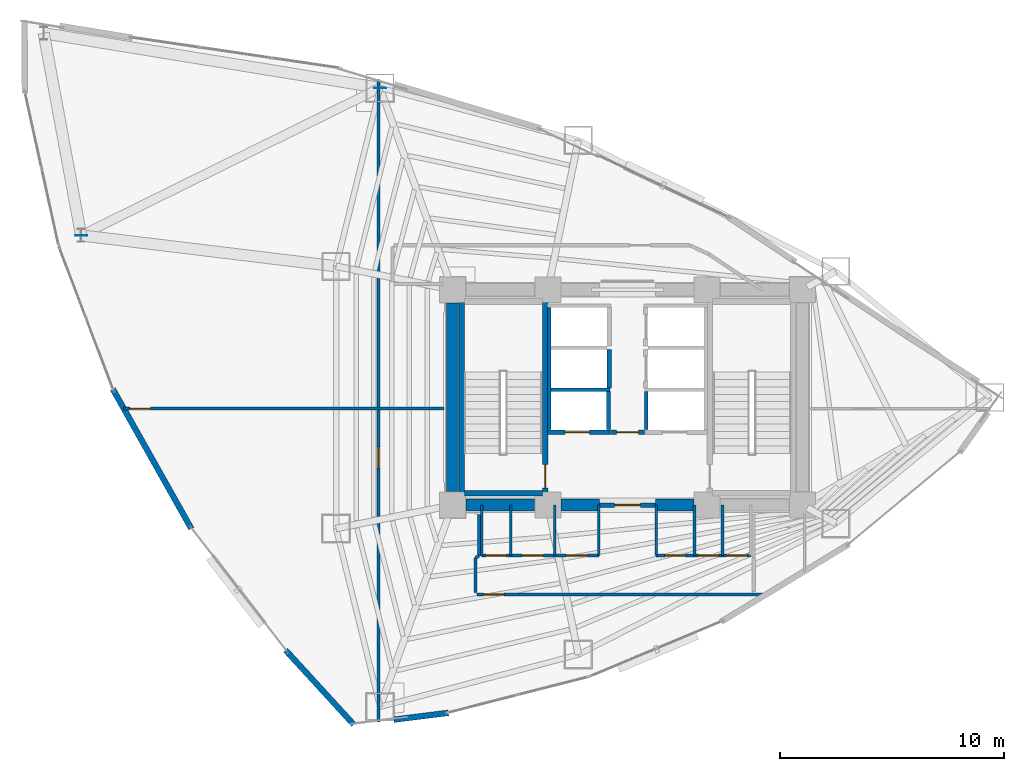
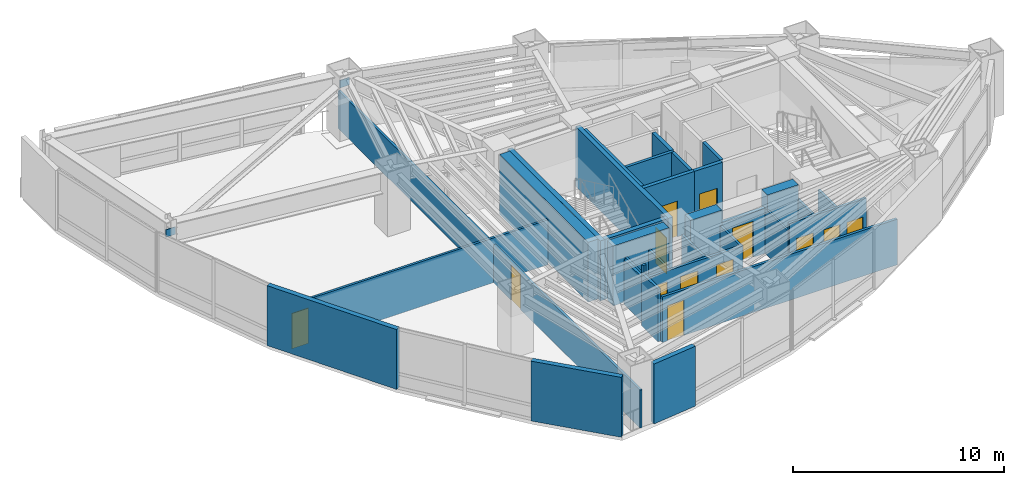
# One storey, part 19 of 23: 33 walls, 13 doors, 2 plates, 13 openings.
"""IFC4 building model written with IfcOpenShell, lengths in metres."""

import ifcopenshell
import ifcopenshell.guid

model = None  # the IFC model being written
_history = None  # IfcOwnerHistory: only IFC2X3 demands one
_inside = {}  # id of a spatial element -> (the spatial element, [elements in it])
_under = {}  # id of a project, library or spatial element -> (it, [spatial elements below it])
_declared = {}  # id of a project -> (the project, [libraries it declares])
_typed = {}  # id of a type object -> (the type object, [elements of that type])
_made_of = {}  # id of a material, layer set ... -> (it, [elements and type objects made of it])


def new_model(schema):
    """Start an empty IFC model of exactly this schema.

    Asked for "IFC4X3", IfcOpenShell would pick the latest addendum, in which some entities
    have other attributes; the version numbers below select the first issue.
    IFC2X3 requires an IfcOwnerHistory on every rooted entity: one is made here for all.
    """
    global model, _history
    if schema == "IFC4X3":
        model = ifcopenshell.file(schema_version=(4, 3, 0, 0))
    else:
        model = ifcopenshell.file(schema=schema)
    _inside.clear()
    _under.clear()
    _declared.clear()
    _typed.clear()
    _made_of.clear()
    _history = None
    if model.schema == "IFC2X3":
        org = make("IfcOrganization", Name="unknown")
        user = make(
            "IfcPersonAndOrganization",
            ThePerson=make("IfcPerson", FamilyName="unknown"),
            TheOrganization=org,
        )
        app = make(
            "IfcApplication",
            ApplicationDeveloper=org,
            Version="unknown",
            ApplicationFullName="unknown",
            ApplicationIdentifier="unknown",
        )
        _history = make(
            "IfcOwnerHistory",
            OwningUser=user,
            OwningApplication=app,
            ChangeAction="ADDED",
            CreationDate=0,
        )
    return model


def make(cls, **values):
    """One entity of the class cls with the attributes given. An attribute that is None is left unset."""
    return model.create_entity(
        cls, **{name: value for name, value in values.items() if value is not None}
    )


def rooted(cls, **values):
    """An entity with a GlobalId (a new one), such as an element, a storey or a relation."""
    return make(cls, GlobalId=ifcopenshell.guid.new(), OwnerHistory=_history, **values)


def si_unit(unit_type, name, prefix=None):
    """IfcSIUnit, for example si_unit("LENGTHUNIT", "METRE", prefix="MILLI")."""
    return make("IfcSIUnit", UnitType=unit_type, Prefix=prefix, Name=name)


def assignment(units):
    """IfcUnitAssignment: the units of a project."""
    return None if units is None else make("IfcUnitAssignment", Units=units)


def point(xyz):
    """IfcCartesianPoint."""
    return None if xyz is None else make("IfcCartesianPoint", Coordinates=xyz)


def direction(xyz):
    """IfcDirection."""
    return None if xyz is None else make("IfcDirection", DirectionRatios=xyz)


def frame(location, z_axis=None, x_axis=None):
    """IfcAxis2Placement3D, a coordinate frame: its origin and axes. An axis left out is left unset."""
    return make(
        "IfcAxis2Placement3D",
        Location=point(location),
        Axis=direction(z_axis),
        RefDirection=direction(x_axis),
    )


def frame_2d(location, x_axis=None):
    """IfcAxis2Placement2D, a coordinate frame in the plane: its origin and x axis."""
    return make(
        "IfcAxis2Placement2D", Location=point(location), RefDirection=direction(x_axis)
    )


def origin():
    """The frame at (0, 0, 0) with its axes left unset."""
    return frame((0.0, 0.0, 0.0))


def origin_2d():
    """The frame at (0, 0) in the plane with its x axis left unset."""
    return frame_2d((0.0, 0.0))


def place(relative_to, where):
    """IfcLocalPlacement: puts the frame where relative to a parent placement (None: the world)."""
    return make(
        "IfcLocalPlacement", PlacementRelTo=relative_to, RelativePlacement=where
    )


def context(
    kind, dimensions, precision=None, world=None, true_north=None, identifier=None
):
    """IfcGeometricRepresentationContext, for example the 3D "Model" context."""
    return make(
        "IfcGeometricRepresentationContext",
        ContextIdentifier=identifier,
        ContextType=kind,
        CoordinateSpaceDimension=dimensions,
        Precision=precision,
        WorldCoordinateSystem=world,
        TrueNorth=true_north,
    )


def subcontext(parent, identifier, kind, view, scale=None):
    """IfcGeometricRepresentationSubContext, for example "Body" below "Model"."""
    return make(
        "IfcGeometricRepresentationSubContext",
        ContextIdentifier=identifier,
        ContextType=kind,
        ParentContext=parent,
        TargetScale=scale,
        TargetView=view,
    )


def project(units=None, contexts=None):
    """IfcProject with its units and contexts."""
    return rooted(
        "IfcProject",
        Name="project",
        RepresentationContexts=contexts,
        UnitsInContext=assignment(units),
    )


def spatial(cls, under=None, at=None, **own):
    """A site, building, storey or space (cls), placed at a placement, below another one or the project."""
    s = rooted(cls, ObjectPlacement=at, **own)
    if under is not None:
        _under.setdefault(under.id(), (under, []))[1].append(s)
    return s


def profile(cls, at=None, kind="AREA", **sizes):
    """A parametric profile (cls). Its sizes go by their IFC names, for example OverallWidth=200.0."""
    return make(cls, ProfileType=kind, Position=at, **sizes)


def rectangle(**sizes):
    """IfcRectangleProfileDef."""
    return profile("IfcRectangleProfileDef", **sizes)


def extrude(swept, where, along, depth):
    """IfcExtrudedAreaSolid: the profile swept, set in the frame where, extruded along a direction by depth."""
    return make(
        "IfcExtrudedAreaSolid",
        SweptArea=swept,
        Position=where,
        ExtrudedDirection=direction(along),
        Depth=depth,
    )


def shape(context_of_items, identifier, shape_type, items):
    """IfcShapeRepresentation: the items that make up one representation, for example the "Body"."""
    return make(
        "IfcShapeRepresentation",
        ContextOfItems=context_of_items,
        RepresentationIdentifier=identifier,
        RepresentationType=shape_type,
        Items=items,
    )


def material(Name=None, Category=None):
    """IfcMaterial."""
    return make("IfcMaterial", Name=Name, Category=Category)


def layer(
    of_material, thickness, ventilated=None, Name=None, Category=None, Priority=None
):
    """IfcMaterialLayer: one layer of a wall or slab, of a material (None: an air gap)."""
    return make(
        "IfcMaterialLayer",
        Material=of_material,
        LayerThickness=thickness,
        IsVentilated=ventilated,
        Name=Name,
        Category=Category,
        Priority=Priority,
    )


def layer_set(layers, Name=None):
    """IfcMaterialLayerSet."""
    return make("IfcMaterialLayerSet", MaterialLayers=layers, LayerSetName=Name)


def made_of(thing, what):
    """Note that an element or type object is made of a material, layer set ...; save() writes the relation."""
    if what is not None:
        _made_of.setdefault(what.id(), (what, []))[1].append(thing)
    return thing


def type_object(cls, material=None, **own):
    """A type object (cls), such as IfcWallType, which elements share."""
    return made_of(rooted(cls, **own), material)


def element(
    cls,
    number,
    at=None,
    inside=None,
    cuts=None,
    type_object=None,
    material=None,
    context=None,
    identifier="Body",
    shape_type=None,
    held_by="IfcProductDefinitionShape",
    body=None,
    shapes=None,
    **own,
):
    """One element of the class cls, such as IfcWall. Its Tag is "e" and its number.

    at: its placement. inside: the storey or other place that contains it. cuts: it is an
    opening in that element (IfcRelVoidsElement). A single representation is given by context,
    identifier, shape_type and body (its items); several are given by shapes. held_by: the class
    of the entity that holds the representations. save() writes the other relations.
    """
    e = rooted(cls, Tag="e%d" % number, ObjectPlacement=at, **own)
    if body is not None:
        shapes = [shape(context, identifier, shape_type, body)]
    if shapes is not None:
        e.Representation = make(held_by, Representations=shapes)
    if inside is not None:
        _inside.setdefault(inside.id(), (inside, []))[1].append(e)
    if cuts is not None:
        rooted(
            "IfcRelVoidsElement", RelatingBuildingElement=cuts, RelatedOpeningElement=e
        )
    if type_object is not None:
        _typed.setdefault(type_object.id(), (type_object, []))[1].append(e)
    return made_of(e, material)


def fill(opening, filler):
    """IfcRelFillsElement: the door or window that sits in an opening."""
    return rooted(
        "IfcRelFillsElement",
        RelatingOpeningElement=opening,
        RelatedBuildingElement=filler,
    )


def aggregate(whole, parts):
    """IfcRelAggregates: a whole, such as a stair, and the parts it consists of."""
    return rooted("IfcRelAggregates", RelatingObject=whole, RelatedObjects=parts)


def save(model, path):
    """Write the relations noted so far, then the file.

    IfcRelAggregates (storeys below a building ...), IfcRelContainedInSpatialStructure (elements
    in a storey), IfcRelDefinesByType, IfcRelAssociatesMaterial and IfcRelDeclares: one each for
    every whole, place, type object, material and project.
    """
    for whole, parts in _under.values():
        aggregate(whole, parts)
    for where, things in _inside.values():
        rooted(
            "IfcRelContainedInSpatialStructure",
            RelatedElements=things,
            RelatingStructure=where,
        )
    for kind, things in _typed.values():
        rooted("IfcRelDefinesByType", RelatedObjects=things, RelatingType=kind)
    for what, things in _made_of.values():
        rooted("IfcRelAssociatesMaterial", RelatedObjects=things, RelatingMaterial=what)
    for by, libraries in _declared.values():
        rooted("IfcRelDeclares", RelatingContext=by, RelatedDefinitions=libraries)
    model.write(path)


model = new_model("IFC4")

# Units and contexts
model_context = context("Model", 3, precision=1e-05, world=origin(), true_north=direction((0.0, 1.0)))
body_context = subcontext(model_context, "Body", "Model", "MODEL_VIEW")
ifc_project = project(units=[si_unit("LENGTHUNIT", "METRE"), si_unit("AREAUNIT", "SQUARE_METRE"), si_unit("VOLUMEUNIT", "CUBIC_METRE"), si_unit("PLANEANGLEUNIT", "RADIAN"), si_unit("MASSUNIT", "GRAM", prefix="KILO")], contexts=[model_context])

# Site, building, storey
site_placement = place(None, origin())
site = spatial("IfcSite", under=ifc_project, at=site_placement, CompositionType="ELEMENT")
building_placement = place(site_placement, origin())
building = spatial("IfcBuilding", under=site, at=building_placement, Name="Menara Vayukalpa", CompositionType="ELEMENT")
storey_placement = place(building_placement, frame((0.0, 0.0, 103.97998046875)))
storey = spatial("IfcBuildingStorey", under=building, at=storey_placement, Name="L25", CompositionType="ELEMENT", Elevation=103.97998046875)

# Plates
ifc_material_1 = material(Name="Steel S355", Category="steel")
ifc_layer_1 = layer(ifc_material_1, 0.028076171875)
ifc_layer_set_1 = layer_set([ifc_layer_1], Name="Steel S355")
plate_type = type_object("IfcPlateType", Name="PLT-END1", PredefinedType="USERDEFINED", material=ifc_layer_set_1)
for number, where, z_axis, x_axis, name in (
    (1, (14.569091796875, 35.79736328125, 2.625), (0.0, 0.0, 1.0), (1.0, 0.0, 0.0), "L25 Structural Brace End Gusset Plate 031"),
    (2, (1.239990234375, 29.22314453125, 2.625), (0.0, 0.0, 1.0), (1.0, 0.0, 0.0), "L25 Structural Brace End Gusset Plate 032"),
):
    element("IfcPlate", number, at=place(storey_placement, frame(where, z_axis=z_axis, x_axis=x_axis)), inside=storey, type_object=plate_type, Name=name, ObjectType="GUSSET_PLATE", PredefinedType="USERDEFINED", context=body_context, shape_type="SweptSolid", body=[
        extrude(rectangle(XDim=0.5400390625, YDim=0.028076171875, at=origin_2d()), origin(), (0.0, 0.0, 1.0), 0.43994140625),
    ])

# Walls
ifc_material_2 = material(Name="Concrete C60/75", Category="concrete")
ifc_layer_2 = layer(ifc_material_2, 0.550048828125)
ifc_layer_set_2 = layer_set([ifc_layer_2], Name="Concrete C60/75")
wall_type_1 = type_object("IfcWallType", Name="WAL-CW550", PredefinedType="SHEAR", material=ifc_layer_set_2)
wall_1_placement = place(storey_placement, frame((18.39501953125, 17.199951171875, 0.0), z_axis=(0.0, 0.0, 1.0), x_axis=(1.0, 0.0, 0.0)))
element("IfcWall", 3, at=wall_1_placement, inside=storey, type_object=wall_type_1, Name="L25 Buttressed Core Shear Wall CWS1", PredefinedType="SHEAR", context=body_context, shape_type="SweptSolid", body=[
    extrude(rectangle(XDim=3.06005859375, YDim=0.550048828125, at=frame_2d((1.530029296875, 0.0))), origin(), (0.0, 0.0, 1.0), 3.469970703125),
])
wall_2_placement = place(storey_placement, frame((22.64501953125, 17.199951171875, 0.0), z_axis=(0.0, 0.0, 1.0), x_axis=(1.0, 0.0, 0.0)))
element("IfcWall", 4, at=wall_2_placement, inside=storey, type_object=wall_type_1, Name="L25 Buttressed Core Shear Wall CWS2", PredefinedType="SHEAR", context=body_context, shape_type="SweptSolid", body=[
    extrude(rectangle(XDim=1.705078125, YDim=0.550048828125, at=frame_2d((0.8525390625, 0.0))), origin(), (0.0, 0.0, 1.0), 3.469970703125),
])
wall_3_placement = place(storey_placement, frame((26.85009765625, 17.199951171875, 0.0), z_axis=(0.0, 0.0, 1.0), x_axis=(1.0, 0.0, 0.0)))
element("IfcWall", 5, at=wall_3_placement, inside=storey, type_object=wall_type_1, Name="L25 Buttressed Core Shear Wall CWS3", PredefinedType="SHEAR", context=body_context, shape_type="SweptSolid", body=[
    extrude(rectangle(XDim=1.704833984375, YDim=0.550048828125, at=frame_2d((0.8525390625, 0.0))), origin(), (0.0, 0.0, 1.0), 3.469970703125),
])
wall_4_placement = place(storey_placement, frame((17.800048828125, 17.794921875, 0.0), z_axis=(0.0, 0.0, 1.0), x_axis=(0.0, 1.0, 0.0)))
element("IfcWall", 6, at=wall_4_placement, inside=storey, type_object=wall_type_1, Name="L25 Buttressed Core Shear Wall CWW1", PredefinedType="SHEAR", context=body_context, shape_type="SweptSolid", body=[
    extrude(rectangle(XDim=8.41015625, YDim=0.550048828125, at=frame_2d((4.205078125, 0.0))), origin(), (0.0, 0.0, 1.0), 3.469970703125),
])
ifc_material_3 = material(Name="Insulated Precast Concrete C40/50", Category="concrete")
ifc_layer_3 = layer(ifc_material_3, 0.260009765625)
ifc_layer_set_3 = layer_set([ifc_layer_3], Name="Insulated Precast Concrete C40/50")
wall_type_2 = type_object("IfcWallType", Name="WAL-EXT260", PredefinedType="PARTITIONING", material=ifc_layer_set_3)
wall_5_placement = place(storey_placement, frame((6.150634765625, 16.147216796875, 0.0), z_axis=(0.0, 0.0, 1.0), x_axis=(-0.490230424354, 0.871592870002, 0.0)))
element("IfcWall", 7, at=wall_5_placement, inside=storey, type_object=wall_type_2, Name="L25 Perimeter Terracotta Pier Wall 12", PredefinedType="PARTITIONING", context=body_context, shape_type="SweptSolid", body=[
    extrude(rectangle(XDim=7.14697265625, YDim=0.260009765625, at=frame_2d((3.573486328125, 0.0))), origin(), (0.0, 0.0, 1.0), 3.469970703125),
])
wall_6_placement = place(storey_placement, frame((13.396240234375, 7.407958984375, 0.0), z_axis=(0.0, 0.0, 1.0), x_axis=(-0.675481616858, 0.737376827197, 0.0)))
element("IfcWall", 8, at=wall_6_placement, inside=storey, type_object=wall_type_2, Name="L25 Perimeter Terracotta Pier Wall 14", PredefinedType="PARTITIONING", context=body_context, shape_type="SweptSolid", body=[
    extrude(rectangle(XDim=4.504638671875, YDim=0.260009765625, at=frame_2d((2.25244140625, 0.0))), origin(), (0.0, 0.0, 1.0), 3.469970703125),
])
wall_7_placement = place(storey_placement, frame((17.61962890625, 7.9345703125, 0.0), z_axis=(0.0, 0.0, 1.0), x_axis=(-0.992311540598, -0.123765125925, 0.0)))
element("IfcWall", 9, at=wall_7_placement, inside=storey, type_object=wall_type_2, Name="L25 Perimeter Terracotta Pier Wall 15", PredefinedType="PARTITIONING", context=body_context, shape_type="SweptSolid", body=[
    extrude(rectangle(XDim=2.451904296875, YDim=0.260009765625, at=frame_2d((1.22607421875, 0.0))), origin(), (0.0, 0.0, 1.0), 3.469970703125),
])
ifc_material_4 = material(Name="Lightweight Concrete Blockwork C16/20", Category="masonry")
ifc_layer_4 = layer(ifc_material_4, 0.159912109375)
ifc_layer_set_4 = layer_set([ifc_layer_4], Name="Lightweight Concrete Blockwork C16/20")
wall_type_3 = type_object("IfcWallType", Name="WAL-FR150", PredefinedType="PARTITIONING", material=ifc_layer_set_4)
wall_8_placement = place(storey_placement, frame((22.10498046875, 20.56005859375, 0.0), z_axis=(0.0, 0.0, 1.0), x_axis=(0.0, 1.0, 0.0)))
element("IfcWall", 10, at=wall_8_placement, inside=storey, type_object=wall_type_3, Name="L25 Interior Partition IW-L25-SHW-WW", PredefinedType="PARTITIONING", context=body_context, shape_type="SweptSolid", body=[
    extrude(rectangle(XDim=5.449951171875, YDim=0.159912109375, at=frame_2d((2.72509765625, 0.0))), origin(), (0.0, 0.0, 1.0), 3.469970703125),
])
wall_9_placement = place(storey_placement, frame((24.7548828125, 20.56005859375, 0.0), z_axis=(0.0, 0.0, 1.0), x_axis=(0.0, 1.0, 0.0)))
element("IfcWall", 11, at=wall_9_placement, inside=storey, type_object=wall_type_3, Name="L25 Interior Partition IW-L25-SHW-W1E", PredefinedType="PARTITIONING", context=body_context, shape_type="SweptSolid", body=[
    extrude(rectangle(XDim=1.7099609375, YDim=0.159912109375, at=frame_2d((0.85498046875, 0.0))), origin(), (0.0, 0.0, 1.0), 3.469970703125),
])
wall_10_placement = place(storey_placement, frame((22.179931640625, 22.344970703125, 0.0), z_axis=(0.0, 0.0, 1.0), x_axis=(1.0, 0.0, 0.0)))
element("IfcWall", 12, at=wall_10_placement, inside=storey, type_object=wall_type_3, Name="L25 Interior Partition IW-L25-SHM-W12", PredefinedType="PARTITIONING", context=body_context, shape_type="SweptSolid", body=[
    extrude(rectangle(XDim=2.650146484375, YDim=0.159912109375, at=frame_2d((1.3251953125, 0.0))), origin(), (0.0, 0.0, 1.0), 3.469970703125),
])
wall_11_placement = place(storey_placement, frame((26.445068359375, 20.56005859375, 0.0), z_axis=(0.0, 0.0, 1.0), x_axis=(0.0, 1.0, 0.0)))
element("IfcWall", 13, at=wall_11_placement, inside=storey, type_object=wall_type_3, Name="L25 Interior Partition IW-L25-SHW-E1W", PredefinedType="PARTITIONING", context=body_context, shape_type="SweptSolid", body=[
    extrude(rectangle(XDim=1.7099609375, YDim=0.159912109375, at=frame_2d((0.85498046875, 0.0))), origin(), (0.0, 0.0, 1.0), 3.469970703125),
])

# Wall, opening, door
ifc_material_5 = material(Name="Lightweight Concrete Blockwork C16/20", Category="masonry")
ifc_layer_5 = layer(ifc_material_5, 0.199951171875)
ifc_layer_set_5 = layer_set([ifc_layer_5], Name="Lightweight Concrete Blockwork C16/20")
wall_type_4 = type_object("IfcWallType", Name="WAL-FR200", PredefinedType="PARTITIONING", material=ifc_layer_set_5)
wall_12_placement = place(storey_placement, frame((24.35009765625, 17.199951171875, 0.0), z_axis=(0.0, 0.0, 1.0), x_axis=(1.0, 0.0, 0.0)))
wall_12 = element("IfcWall", 14, at=wall_12_placement, inside=storey, type_object=wall_type_4, Name="L25 Interior Partition IW-L25-FFLS", PredefinedType="PARTITIONING", context=body_context, shape_type="SweptSolid", body=[
    extrude(rectangle(XDim=2.5, YDim=0.199951171875, at=frame_2d((1.25, 0.0))), origin(), (0.0, 0.0, 1.0), 2.60009765625),
])
opening_1_placement = place(wall_12_placement, frame((0.679931640625, 0.0, 0.0)))
opening_1 = element("IfcOpeningElement", 15, at=opening_1_placement, cuts=wall_12, Name="Opening ID2", PredefinedType="OPENING", context=body_context, shape_type="SweptSolid", body=[
    extrude(rectangle(XDim=1.14990234375, YDim=2.080078125, at=frame_2d((0.574951171875, 1.0400390625))), frame((0.0, 0.10986328125, 0.0), z_axis=(0.0, -1.0, 0.0), x_axis=(1.0, 0.0, 0.0)), (0.0, 0.0, 1.0), 0.219970703125),
])
ifc_material_6 = material(Name="Fire-Rated Powder-Coated Steel Door", Category="steel")
door_type_1 = type_object("IfcDoorType", Name="DR-FD60W", OperationType="NOTDEFINED", PredefinedType="DOOR", material=ifc_material_6)
door_1_placement = place(opening_1_placement, origin())
door_1 = element("IfcDoor", 16, at=door_1_placement, inside=storey, type_object=door_type_1, Name="L25 Interior Door DR-L25-FFLS", OperationType="SINGLE_SWING_RIGHT", OverallHeight=2.080078125, OverallWidth=1.14990234375, PredefinedType="DOOR", context=body_context, shape_type="SweptSolid", body=[
    extrude(rectangle(XDim=1.14990234375, YDim=2.080078125, at=frame_2d((0.574951171875, 1.0400390625))), frame((0.0, 0.02490234375, 0.0), z_axis=(0.0, -1.0, 0.0), x_axis=(1.0, 0.0, 0.0)), (0.0, 0.0, 1.0), 0.050048828125),
])
fill(opening_1, door_1)

wall_13_placement = place(storey_placement, frame((24.840087890625, 20.449951171875, 0.0), z_axis=(0.0, 0.0, 1.0), x_axis=(1.0, 0.0, 0.0)))
wall_13 = element("IfcWall", 17, at=wall_13_placement, inside=storey, type_object=wall_type_4, Name="L25 Interior Partition IW-L25-FFLN", PredefinedType="PARTITIONING", context=body_context, shape_type="SweptSolid", body=[
    extrude(rectangle(XDim=1.52001953125, YDim=0.199951171875, at=frame_2d((0.760009765625, 0.0))), origin(), (0.0, 0.0, 1.0), 3.469970703125),
])
opening_2_placement = place(wall_13_placement, frame((0.27001953125, 0.0, 0.0)))
opening_2 = element("IfcOpeningElement", 18, at=opening_2_placement, cuts=wall_13, Name="Opening ID3", PredefinedType="OPENING", context=body_context, shape_type="SweptSolid", body=[
    extrude(rectangle(XDim=0.97998046875, YDim=2.06005859375, at=frame_2d((0.489990234375, 1.030029296875))), frame((0.0, 0.10986328125, 0.0), z_axis=(0.0, -1.0, 0.0), x_axis=(1.0, 0.0, 0.0)), (0.0, 0.0, 1.0), 0.219970703125),
])
ifc_material_7 = material(Name="Fire-Rated Powder-Coated Steel Door", Category="steel")
door_type_2 = type_object("IfcDoorType", Name="DR-FD60", OperationType="NOTDEFINED", PredefinedType="DOOR", material=ifc_material_7)
door_2_placement = place(opening_2_placement, origin())
door_2 = element("IfcDoor", 19, at=door_2_placement, inside=storey, type_object=door_type_2, Name="L25 Interior Door DR-L25-FFLN", OperationType="SINGLE_SWING_LEFT", OverallHeight=2.06005859375, OverallWidth=0.97998046875, PredefinedType="DOOR", context=body_context, shape_type="SweptSolid", body=[
    extrude(rectangle(XDim=0.97998046875, YDim=2.06005859375, at=frame_2d((0.489990234375, 1.030029296875))), frame((0.0, 0.02490234375, 0.0), z_axis=(0.0, -1.0, 0.0), x_axis=(1.0, 0.0, 0.0)), (0.0, 0.0, 1.0), 0.050048828125),
])
fill(opening_2, door_2)

wall_14_placement = place(storey_placement, frame((22.030029296875, 20.449951171875, 0.0), z_axis=(0.0, 0.0, 1.0), x_axis=(1.0, 0.0, 0.0)))
wall_14 = element("IfcWall", 20, at=wall_14_placement, inside=storey, type_object=wall_type_4, Name="L25 Interior Partition IW-L25-SH-W1", PredefinedType="PARTITIONING", context=body_context, shape_type="SweptSolid", body=[
    extrude(rectangle(XDim=2.800048828125, YDim=0.199951171875, at=frame_2d((1.39990234375, 0.0))), origin(), (0.0, 0.0, 1.0), 3.469970703125),
])
opening_3_placement = place(wall_14_placement, frame((0.780029296875, 0.0, 0.0)))
opening_3 = element("IfcOpeningElement", 21, at=opening_3_placement, cuts=wall_14, Name="Opening LD1", PredefinedType="OPENING", context=body_context, shape_type="SweptSolid", body=[
    extrude(rectangle(XDim=1.10009765625, YDim=2.080078125, at=frame_2d((0.550048828125, 1.0400390625))), frame((0.0, 0.10986328125, 0.0), z_axis=(0.0, -1.0, 0.0), x_axis=(1.0, 0.0, 0.0)), (0.0, 0.0, 1.0), 0.219970703125),
])
ifc_material_8 = material(Name="Brushed Stainless Steel 316 Lift Door", Category="steel")
door_type_3 = type_object("IfcDoorType", Name="DR-LD110", OperationType="NOTDEFINED", PredefinedType="DOOR", material=ifc_material_8)
door_3_placement = place(opening_3_placement, origin())
door_3 = element("IfcDoor", 22, at=door_3_placement, inside=storey, type_object=door_type_3, Name="L25 Interior Door DR-L25-LD-W1", OperationType="DOUBLE_DOOR_SLIDING", OverallHeight=2.080078125, OverallWidth=1.10009765625, PredefinedType="DOOR", context=body_context, shape_type="SweptSolid", body=[
    extrude(rectangle(XDim=1.10009765625, YDim=2.080078125, at=frame_2d((0.550048828125, 1.0400390625))), frame((0.0, 0.02490234375, 0.0), z_axis=(0.0, -1.0, 0.0), x_axis=(1.0, 0.0, 0.0)), (0.0, 0.0, 1.0), 0.050048828125),
])
fill(opening_3, door_3)

# Walls
wall_15_placement = place(storey_placement, frame((24.780029296875, 22.419921875, 0.0), z_axis=(0.0, 0.0, 1.0), x_axis=(0.0, 1.0, 0.0)))
element("IfcWall", 23, at=wall_15_placement, inside=storey, type_object=wall_type_4, Name="L25 Interior Partition IW-L25-SH-W2", PredefinedType="PARTITIONING", context=body_context, shape_type="SweptSolid", body=[
    extrude(rectangle(XDim=1.719970703125, YDim=0.199951171875, at=frame_2d((0.85986328125, 0.0))), origin(), (0.0, 0.0, 1.0), 3.469970703125),
])
ifc_material_9 = material(Name="Acoustic Mineral Stud Partition", Category="masonry")
ifc_layer_6 = layer(ifc_material_9, 0.110107421875)
ifc_layer_set_6 = layer_set([ifc_layer_6], Name="Acoustic Mineral Stud Partition")
wall_type_5 = type_object("IfcWallType", Name="WAL-PT110", PredefinedType="PARTITIONING", material=ifc_layer_set_6)
for number, where, z_axis, x_axis, name in (
    (24, (20.39990234375, 14.949951171875, 0.0), (0.0, 0.0, 1.0), (0.0, 1.0, 0.0), "L25 Interior Partition IW-L25-SVCD-02"),
    (25, (26.8798828125, 14.949951171875, 0.0), (0.0, 0.0, 1.0), (0.0, 1.0, 0.0), "L25 Interior Partition IW-L25-SVCD-05"),
):
    element("IfcWall", number, at=place(storey_placement, frame(where, z_axis=z_axis, x_axis=x_axis)), inside=storey, type_object=wall_type_5, Name=name, PredefinedType="PARTITIONING", context=body_context, shape_type="SweptSolid", body=[
        extrude(rectangle(XDim=2.25, YDim=0.110107421875, at=frame_2d((1.125, 0.0))), origin(), (0.0, 0.0, 1.0), 2.60009765625),
    ])
ifc_material_10 = material(Name="Gypsum Drywall Steel Stud Assembly", Category="steel")
ifc_layer_7 = layer(ifc_material_10, 0.125)
ifc_layer_set_7 = layer_set([ifc_layer_7], Name="Gypsum Drywall Steel Stud Assembly")
wall_type_6 = type_object("IfcWallType", Name="WAL-PT125", PredefinedType="PARTITIONING", material=ifc_layer_set_7)
for number, where, z_axis, x_axis, name in (
    (26, (19.10009765625, 14.949951171875, 0.0), (0.0, 0.0, 1.0), (0.0, 1.0, 0.0), "L25 Interior Partition IW-L25-SVCD-01"),
    (27, (22.360107421875, 14.949951171875, 0.0), (0.0, 0.0, 1.0), (0.0, 1.0, 0.0), "L25 Interior Partition IW-L25-SVCD-03"),
    (28, (24.320068359375, 14.949951171875, 0.0), (0.0, 0.0, 1.0), (0.0, 1.0, 0.0), "L25 Interior Partition IW-L25-SVCD-04"),
    (29, (28.590087890625, 14.949951171875, 0.0), (0.0, 0.0, 1.0), (0.0, 1.0, 0.0), "L25 Interior Partition IW-L25-SVCD-06"),
    (30, (29.830078125, 14.949951171875, 0.0), (0.0, 0.0, 1.0), (0.0, 1.0, 0.0), "L25 Interior Partition IW-L25-SVCD-07"),
):
    element("IfcWall", number, at=place(storey_placement, frame(where, z_axis=z_axis, x_axis=x_axis)), inside=storey, type_object=wall_type_6, Name=name, PredefinedType="PARTITIONING", context=body_context, shape_type="SweptSolid", body=[
        extrude(rectangle(XDim=2.25, YDim=0.125, at=frame_2d((1.125, 0.0))), origin(), (0.0, 0.0, 1.0), 2.60009765625),
    ])

# Wall, opening, door
wall_16_placement = place(storey_placement, frame((14.5, 7.535400390625, 0.0), z_axis=(0.0, 0.0, 1.0), x_axis=(0.0, 1.0, 0.0)))
wall_16 = element("IfcWall", 31, at=wall_16_placement, inside=storey, type_object=wall_type_6, Name="L25 Interior Partition IW-L25-RDIV01", PredefinedType="PARTITIONING", context=body_context, shape_type="SweptSolid", body=[
    extrude(rectangle(XDim=28.648193359375, YDim=0.125, at=frame_2d((14.32421875, 0.0))), origin(), (0.0, 0.0, 1.0), 2.199951171875),
])
opening_4_placement = place(wall_16_placement, frame((11.324951171875, 0.0, 0.0)))
opening_4 = element("IfcOpeningElement", 32, at=opening_4_placement, cuts=wall_16, Name="Opening ID6", PredefinedType="OPENING", context=body_context, shape_type="SweptSolid", body=[
    extrude(rectangle(XDim=0.919921875, YDim=2.050048828125, at=frame_2d((0.4599609375, 1.02490234375))), frame((0.0, 0.072509765625, 0.0), z_axis=(0.0, -1.0, 0.0), x_axis=(1.0, 0.0, 0.0)), (0.0, 0.0, 1.0), 0.14501953125),
])
ifc_material_11 = material(Name="Acoustic Hardwood Veneer Timber Door", Category="wood")
door_type_4 = type_object("IfcDoorType", Name="DR-INT92", OperationType="NOTDEFINED", PredefinedType="DOOR", material=ifc_material_11)
door_4_placement = place(opening_4_placement, origin())
door_4 = element("IfcDoor", 33, at=door_4_placement, inside=storey, type_object=door_type_4, Name="L25 Interior Door DR-L25-STE01", OperationType="SINGLE_SWING_RIGHT", OverallHeight=2.050048828125, OverallWidth=0.919921875, PredefinedType="DOOR", context=body_context, shape_type="SweptSolid", body=[
    extrude(rectangle(XDim=0.919921875, YDim=2.050048828125, at=frame_2d((0.4599609375, 1.02490234375))), frame((0.0, 0.02490234375, 0.0), z_axis=(0.0, -1.0, 0.0), x_axis=(1.0, 0.0, 0.0)), (0.0, 0.0, 1.0), 0.050048828125),
])
fill(opening_4, door_4)

wall_17_placement = place(storey_placement, frame((3.12841796875, 21.5, 0.0), z_axis=(0.0, 0.0, 1.0), x_axis=(1.0, 0.0, 0.0)))
wall_17 = element("IfcWall", 34, at=wall_17_placement, inside=storey, type_object=wall_type_6, Name="L25 Interior Partition IW-L25-RDIV03", PredefinedType="PARTITIONING", context=body_context, shape_type="SweptSolid", body=[
    extrude(rectangle(XDim=14.301513671875, YDim=0.125, at=frame_2d((7.15087890625, 0.0))), origin(), (0.0, 0.0, 1.0), 2.60009765625),
])
opening_5_placement = place(wall_17_placement, frame((0.280029296875, 0.0, 0.0)))
opening_5 = element("IfcOpeningElement", 35, at=opening_5_placement, cuts=wall_17, Name="Opening ID6", PredefinedType="OPENING", context=body_context, shape_type="SweptSolid", body=[
    extrude(rectangle(XDim=0.919921875, YDim=2.050048828125, at=frame_2d((0.4599609375, 1.02490234375))), frame((0.0, 0.072509765625, 0.0), z_axis=(0.0, -1.0, 0.0), x_axis=(1.0, 0.0, 0.0)), (0.0, 0.0, 1.0), 0.14501953125),
])
door_5_placement = place(opening_5_placement, origin())
door_5 = element("IfcDoor", 36, at=door_5_placement, inside=storey, type_object=door_type_4, Name="L25 Interior Door DR-L25-STE05", OperationType="SINGLE_SWING_LEFT", OverallHeight=2.050048828125, OverallWidth=0.919921875, PredefinedType="DOOR", context=body_context, shape_type="SweptSolid", body=[
    extrude(rectangle(XDim=0.919921875, YDim=2.050048828125, at=frame_2d((0.4599609375, 1.02490234375))), frame((0.0, 0.02490234375, 0.0), z_axis=(0.0, -1.0, 0.0), x_axis=(1.0, 0.0, 0.0)), (0.0, 0.0, 1.0), 0.050048828125),
])
fill(opening_5, door_5)

# Wall, openings, doors
ifc_material_12 = material(Name="Gypsum Drywall Acoustic Stud Assembly", Category="masonry")
ifc_layer_8 = layer(ifc_material_12, 0.14501953125)
ifc_layer_set_8 = layer_set([ifc_layer_8], Name="Gypsum Drywall Acoustic Stud Assembly")
wall_type_7 = type_object("IfcWallType", Name="WAL-PT150", PredefinedType="PARTITIONING", material=ifc_layer_set_8)
wall_18_placement = place(storey_placement, frame((19.10009765625, 14.949951171875, 0.0), z_axis=(0.0, 0.0, 1.0), x_axis=(1.0, 0.0, 0.0)))
wall_18 = element("IfcWall", 37, at=wall_18_placement, inside=storey, type_object=wall_type_7, Name="L25 Interior Partition IW-L25-SVCS-W", PredefinedType="PARTITIONING", context=body_context, shape_type="SweptSolid", body=[
    extrude(rectangle(XDim=5.219970703125, YDim=0.14501953125, at=frame_2d((2.60986328125, 0.0))), origin(), (0.0, 0.0, 1.0), 2.64990234375),
])
opening_6_placement = place(wall_18_placement, frame((0.199951171875, 0.0, 0.0)))
opening_6 = element("IfcOpeningElement", 38, at=opening_6_placement, cuts=wall_18, Name="Opening ID7", PredefinedType="OPENING", context=body_context, shape_type="SweptSolid", body=[
    extrude(rectangle(XDim=0.89990234375, YDim=2.02001953125, at=frame_2d((0.449951171875, 1.010009765625))), frame((0.0, 0.08251953125, 0.0), z_axis=(0.0, -1.0, 0.0), x_axis=(1.0, 0.0, 0.0)), (0.0, 0.0, 1.0), 0.1650390625),
])
opening_7_placement = place(wall_18_placement, frame((1.804931640625, 0.0, 0.0)))
opening_7 = element("IfcOpeningElement", 39, at=opening_7_placement, cuts=wall_18, Name="Opening ID5", PredefinedType="OPENING", context=body_context, shape_type="SweptSolid", body=[
    extrude(rectangle(XDim=0.949951171875, YDim=2.06005859375, at=frame_2d((0.47509765625, 1.030029296875))), frame((0.0, 0.08251953125, 0.0), z_axis=(0.0, -1.0, 0.0), x_axis=(1.0, 0.0, 0.0)), (0.0, 0.0, 1.0), 0.1650390625),
])
opening_8_placement = place(wall_18_placement, frame((3.764892578125, 0.0, 0.0)))
opening_8 = element("IfcOpeningElement", 40, at=opening_8_placement, cuts=wall_18, Name="Opening ID5", PredefinedType="OPENING", context=body_context, shape_type="SweptSolid", body=[
    extrude(rectangle(XDim=0.949951171875, YDim=2.06005859375, at=frame_2d((0.47509765625, 1.030029296875))), frame((0.0, 0.08251953125, 0.0), z_axis=(0.0, -1.0, 0.0), x_axis=(1.0, 0.0, 0.0)), (0.0, 0.0, 1.0), 0.1650390625),
])
ifc_material_13 = material(Name="Acoustic Hardwood Veneer Timber Door", Category="wood")
door_type_5 = type_object("IfcDoorType", Name="DR-INT95", OperationType="NOTDEFINED", PredefinedType="DOOR", material=ifc_material_13)
door_6_placement = place(opening_7_placement, origin())
door_6 = element("IfcDoor", 41, at=door_6_placement, inside=storey, type_object=door_type_5, Name="L25 Interior Door DR-L25-AWC", OperationType="SINGLE_SWING_LEFT", OverallHeight=2.06005859375, OverallWidth=0.949951171875, PredefinedType="DOOR", context=body_context, shape_type="SweptSolid", body=[
    extrude(rectangle(XDim=0.949951171875, YDim=2.06005859375, at=frame_2d((0.47509765625, 1.030029296875))), frame((0.0, 0.02490234375, 0.0), z_axis=(0.0, -1.0, 0.0), x_axis=(1.0, 0.0, 0.0)), (0.0, 0.0, 1.0), 0.050048828125),
])
fill(opening_7, door_6)
door_7_placement = place(opening_8_placement, origin())
door_7 = element("IfcDoor", 42, at=door_7_placement, inside=storey, type_object=door_type_5, Name="L25 Interior Door DR-L25-SWC", OperationType="SINGLE_SWING_RIGHT", OverallHeight=2.06005859375, OverallWidth=0.949951171875, PredefinedType="DOOR", context=body_context, shape_type="SweptSolid", body=[
    extrude(rectangle(XDim=0.949951171875, YDim=2.06005859375, at=frame_2d((0.47509765625, 1.030029296875))), frame((0.0, 0.02490234375, 0.0), z_axis=(0.0, -1.0, 0.0), x_axis=(1.0, 0.0, 0.0)), (0.0, 0.0, 1.0), 0.050048828125),
])
fill(opening_8, door_7)
ifc_material_14 = material(Name="Powder-Coated Steel Riser Access Door", Category="steel")
door_type_6 = type_object("IfcDoorType", Name="DR-RISER", OperationType="NOTDEFINED", PredefinedType="DOOR", material=ifc_material_14)
door_8_placement = place(opening_6_placement, origin())
door_8 = element("IfcDoor", 43, at=door_8_placement, inside=storey, type_object=door_type_6, Name="L25 Interior Door DR-L25-ELR", OperationType="SINGLE_SWING_RIGHT", OverallHeight=2.02001953125, OverallWidth=0.89990234375, PredefinedType="DOOR", context=body_context, shape_type="SweptSolid", body=[
    extrude(rectangle(XDim=0.89990234375, YDim=2.02001953125, at=frame_2d((0.449951171875, 1.010009765625))), frame((0.0, 0.02490234375, 0.0), z_axis=(0.0, -1.0, 0.0), x_axis=(1.0, 0.0, 0.0)), (0.0, 0.0, 1.0), 0.050048828125),
])
fill(opening_6, door_8)

wall_19_placement = place(storey_placement, frame((26.8798828125, 14.949951171875, 0.0), z_axis=(0.0, 0.0, 1.0), x_axis=(1.0, 0.0, 0.0)))
wall_19 = element("IfcWall", 44, at=wall_19_placement, inside=storey, type_object=wall_type_7, Name="L25 Interior Partition IW-L25-SVCS-E", PredefinedType="PARTITIONING", context=body_context, shape_type="SweptSolid", body=[
    extrude(rectangle(XDim=4.22021484375, YDim=0.14501953125, at=frame_2d((2.110107421875, 0.0))), origin(), (0.0, 0.0, 1.0), 3.050048828125),
])
opening_9_placement = place(wall_19_placement, frame((0.389892578125, 0.0, 0.0)))
opening_9 = element("IfcOpeningElement", 45, at=opening_9_placement, cuts=wall_19, Name="Opening ID6", PredefinedType="OPENING", context=body_context, shape_type="SweptSolid", body=[
    extrude(rectangle(XDim=0.919921875, YDim=2.050048828125, at=frame_2d((0.4599609375, 1.02490234375))), frame((0.0, 0.08251953125, 0.0), z_axis=(0.0, -1.0, 0.0), x_axis=(1.0, 0.0, 0.0)), (0.0, 0.0, 1.0), 0.1650390625),
])
opening_10_placement = place(wall_19_placement, frame((1.8798828125, 0.0, 0.0)))
opening_10 = element("IfcOpeningElement", 46, at=opening_10_placement, cuts=wall_19, Name="Opening ID7", PredefinedType="OPENING", context=body_context, shape_type="SweptSolid", body=[
    extrude(rectangle(XDim=0.89990234375, YDim=2.02001953125, at=frame_2d((0.449951171875, 1.010009765625))), frame((0.0, 0.08251953125, 0.0), z_axis=(0.0, -1.0, 0.0), x_axis=(1.0, 0.0, 0.0)), (0.0, 0.0, 1.0), 0.1650390625),
])
opening_11_placement = place(wall_19_placement, frame((3.139892578125, 0.0, 0.0)))
opening_11 = element("IfcOpeningElement", 47, at=opening_11_placement, cuts=wall_19, Name="Opening ID7", PredefinedType="OPENING", context=body_context, shape_type="SweptSolid", body=[
    extrude(rectangle(XDim=0.89990234375, YDim=2.02001953125, at=frame_2d((0.449951171875, 1.010009765625))), frame((0.0, 0.08251953125, 0.0), z_axis=(0.0, -1.0, 0.0), x_axis=(1.0, 0.0, 0.0)), (0.0, 0.0, 1.0), 0.1650390625),
])
door_9_placement = place(opening_9_placement, origin())
door_9 = element("IfcDoor", 48, at=door_9_placement, inside=storey, type_object=door_type_4, Name="L25 Interior Door DR-L25-KSV1", OperationType="SINGLE_SWING_LEFT", OverallHeight=2.050048828125, OverallWidth=0.919921875, PredefinedType="DOOR", context=body_context, shape_type="SweptSolid", body=[
    extrude(rectangle(XDim=0.919921875, YDim=2.050048828125, at=frame_2d((0.4599609375, 1.02490234375))), frame((0.0, 0.02490234375, 0.0), z_axis=(0.0, -1.0, 0.0), x_axis=(1.0, 0.0, 0.0)), (0.0, 0.0, 1.0), 0.050048828125),
])
fill(opening_9, door_9)
door_10_placement = place(opening_10_placement, origin())
door_10 = element("IfcDoor", 49, at=door_10_placement, inside=storey, type_object=door_type_6, Name="L25 Interior Door DR-L25-KSV2", OperationType="SINGLE_SWING_RIGHT", OverallHeight=2.02001953125, OverallWidth=0.89990234375, PredefinedType="DOOR", context=body_context, shape_type="SweptSolid", body=[
    extrude(rectangle(XDim=0.89990234375, YDim=2.02001953125, at=frame_2d((0.449951171875, 1.010009765625))), frame((0.0, 0.02490234375, 0.0), z_axis=(0.0, -1.0, 0.0), x_axis=(1.0, 0.0, 0.0)), (0.0, 0.0, 1.0), 0.050048828125),
])
fill(opening_10, door_10)
door_11_placement = place(opening_11_placement, origin())
door_11 = element("IfcDoor", 50, at=door_11_placement, inside=storey, type_object=door_type_6, Name="L25 Interior Door DR-L25-SMD", OperationType="SINGLE_SWING_LEFT", OverallHeight=2.02001953125, OverallWidth=0.89990234375, PredefinedType="DOOR", context=body_context, shape_type="SweptSolid", body=[
    extrude(rectangle(XDim=0.89990234375, YDim=2.02001953125, at=frame_2d((0.449951171875, 1.010009765625))), frame((0.0, 0.02490234375, 0.0), z_axis=(0.0, -1.0, 0.0), x_axis=(1.0, 0.0, 0.0)), (0.0, 0.0, 1.0), 0.050048828125),
])
fill(opening_11, door_11)

# Walls
wall_20_placement = place(storey_placement, frame((18.97998046875, 16.780029296875, 0.0), z_axis=(0.0, 0.0, 1.0), x_axis=(0.0, -1.0, 0.0)))
element("IfcWall", 51, at=wall_20_placement, inside=storey, type_object=wall_type_7, Name="L25 Interior Partition IW-L25-CRM02-1", PredefinedType="PARTITIONING", context=body_context, shape_type="SweptSolid", body=[
    extrude(rectangle(XDim=1.85009765625, YDim=0.14501953125, at=frame_2d((0.925048828125, 0.0))), origin(), (0.0, 0.0, 1.0), 2.60009765625),
])
wall_21_placement = place(storey_placement, frame((18.820068359375, 14.85009765625, 0.0), z_axis=(0.0, 0.0, 1.0), x_axis=(0.0, -1.0, 0.0)))
element("IfcWall", 52, at=wall_21_placement, inside=storey, type_object=wall_type_7, Name="L25 Interior Partition IW-L25-CRM02-2", PredefinedType="PARTITIONING", context=body_context, shape_type="SweptSolid", body=[
    extrude(rectangle(XDim=1.56005859375, YDim=0.14501953125, at=frame_2d((0.780029296875, 0.0))), origin(), (0.0, 0.0, 1.0), 3.050048828125),
])

# Wall, opening, door
wall_22_placement = place(storey_placement, frame((18.89990234375, 13.2099609375, 0.0), z_axis=(0.0, 0.0, 1.0), x_axis=(1.0, 0.0, 0.0)))
wall_22 = element("IfcWall", 53, at=wall_22_placement, inside=storey, type_object=wall_type_7, Name="L25 Interior Partition IW-L25-CRM02-3", PredefinedType="PARTITIONING", context=body_context, shape_type="SweptSolid", body=[
    extrude(rectangle(XDim=12.884033203125, YDim=0.14501953125, at=frame_2d((6.44189453125, 0.0))), origin(), (0.0, 0.0, 1.0), 2.64990234375),
])
opening_12_placement = place(wall_22_placement, frame((0.280029296875, 0.0, 0.0)))
opening_12 = element("IfcOpeningElement", 54, at=opening_12_placement, cuts=wall_22, Name="Opening ID6", PredefinedType="OPENING", context=body_context, shape_type="SweptSolid", body=[
    extrude(rectangle(XDim=0.919921875, YDim=2.050048828125, at=frame_2d((0.4599609375, 1.02490234375))), frame((0.0, 0.08251953125, 0.0), z_axis=(0.0, -1.0, 0.0), x_axis=(1.0, 0.0, 0.0)), (0.0, 0.0, 1.0), 0.1650390625),
])
door_12_placement = place(opening_12_placement, origin())
door_12 = element("IfcDoor", 55, at=door_12_placement, inside=storey, type_object=door_type_4, Name="L25 Interior Door DR-L25-RM02", OperationType="SINGLE_SWING_RIGHT", OverallHeight=2.050048828125, OverallWidth=0.919921875, PredefinedType="DOOR", context=body_context, shape_type="SweptSolid", body=[
    extrude(rectangle(XDim=0.919921875, YDim=2.050048828125, at=frame_2d((0.4599609375, 1.02490234375))), frame((0.0, 0.02490234375, 0.0), z_axis=(0.0, -1.0, 0.0), x_axis=(1.0, 0.0, 0.0)), (0.0, 0.0, 1.0), 0.050048828125),
])
fill(opening_12, door_12)

# Walls
wall_23_placement = place(storey_placement, frame((18.820068359375, 14.85009765625, 0.0), z_axis=(0.0, 0.0, 1.0), x_axis=(0.89470021502, 0.446667130247, 0.0)))
element("IfcWall", 56, at=wall_23_placement, inside=storey, type_object=wall_type_7, Name="L25 Interior Partition IW-L25-CRM02-2-R0", PredefinedType="PARTITIONING", context=body_context, shape_type="SweptSolid", body=[
    extrude(rectangle(XDim=0.1787109375, YDim=0.14501953125, at=frame_2d((0.08935546875, 0.0))), origin(), (0.0, 0.0, 1.0), 3.469970703125),
])
ifc_material_15 = material(Name="Concrete C50/60", Category="concrete")
ifc_layer_9 = layer(ifc_material_15, 0.25)
ifc_layer_set_9 = layer_set([ifc_layer_9], Name="Concrete C50/60")
wall_type_8 = type_object("IfcWallType", Name="WAL-SW250", PredefinedType="SHEAR", material=ifc_layer_set_9)
wall_24_placement = place(storey_placement, frame((18.2041015625, 17.60009765625, 0.0), z_axis=(0.0, 0.0, 1.0), x_axis=(0.0, 1.0, 0.0)))
element("IfcWall", 57, at=wall_24_placement, inside=storey, type_object=wall_type_8, Name="L25 ST1 Structural Stair Shaft Wall W", PredefinedType="SHEAR", context=body_context, shape_type="SweptSolid", body=[
    extrude(rectangle(XDim=8.7998046875, YDim=0.25, at=frame_2d((4.39990234375, 0.0))), origin(), (0.0, 0.0, 1.0), 3.469970703125),
])

# Wall, opening, door
wall_25_placement = place(storey_placement, frame((21.925048828125, 17.60009765625, 0.0), z_axis=(0.0, 0.0, 1.0), x_axis=(0.0, 1.0, 0.0)))
wall_25 = element("IfcWall", 58, at=wall_25_placement, inside=storey, type_object=wall_type_8, Name="L25 ST1 Structural Stair Shaft Wall E", PredefinedType="SHEAR", context=body_context, shape_type="SweptSolid", body=[
    extrude(rectangle(XDim=8.7998046875, YDim=0.25, at=frame_2d((4.39990234375, 0.0))), origin(), (0.0, 0.0, 1.0), 3.469970703125),
])
opening_13_placement = place(wall_25_placement, frame((0.35009765625, 0.0, 0.0)))
opening_13 = element("IfcOpeningElement", 59, at=opening_13_placement, cuts=wall_25, Name="Opening ID1", PredefinedType="OPENING", context=body_context, shape_type="SweptSolid", body=[
    extrude(rectangle(XDim=1.050048828125, YDim=2.080078125, at=frame_2d((0.52490234375, 1.0400390625))), frame((0.0, 0.135009765625, 0.0), z_axis=(0.0, -1.0, 0.0), x_axis=(1.0, 0.0, 0.0)), (0.0, 0.0, 1.0), 0.27001953125),
])
ifc_material_16 = material(Name="Fire-Rated Powder-Coated Steel Door", Category="steel")
door_type_7 = type_object("IfcDoorType", Name="DR-FD120", OperationType="NOTDEFINED", PredefinedType="DOOR", material=ifc_material_16)
door_13_placement = place(opening_13_placement, origin())
door_13 = element("IfcDoor", 60, at=door_13_placement, inside=storey, type_object=door_type_7, Name="L25 Stair Exit Door DR-L25-ST1", OperationType="SINGLE_SWING_LEFT", OverallHeight=2.080078125, OverallWidth=1.050048828125, PredefinedType="DOOR", context=body_context, shape_type="SweptSolid", body=[
    extrude(rectangle(XDim=1.050048828125, YDim=2.080078125, at=frame_2d((0.52490234375, 1.0400390625))), frame((0.0, 0.02490234375, 0.0), z_axis=(0.0, -1.0, 0.0), x_axis=(1.0, 0.0, 0.0)), (0.0, 0.0, 1.0), 0.050048828125),
])
fill(opening_13, door_13)

# Wall
wall_26_placement = place(storey_placement, frame((18.3291015625, 17.72509765625, 0.0), z_axis=(0.0, 0.0, 1.0), x_axis=(1.0, 0.0, 0.0)))
element("IfcWall", 61, at=wall_26_placement, inside=storey, type_object=wall_type_8, Name="L25 ST1 Structural Stair Shaft Wall S", PredefinedType="SHEAR", context=body_context, shape_type="SweptSolid", body=[
    extrude(rectangle(XDim=3.470947265625, YDim=0.25, at=frame_2d((1.7353515625, 0.0))), origin(), (0.0, 0.0, 1.0), 3.469970703125),
])

save(model, "model.ifc")
